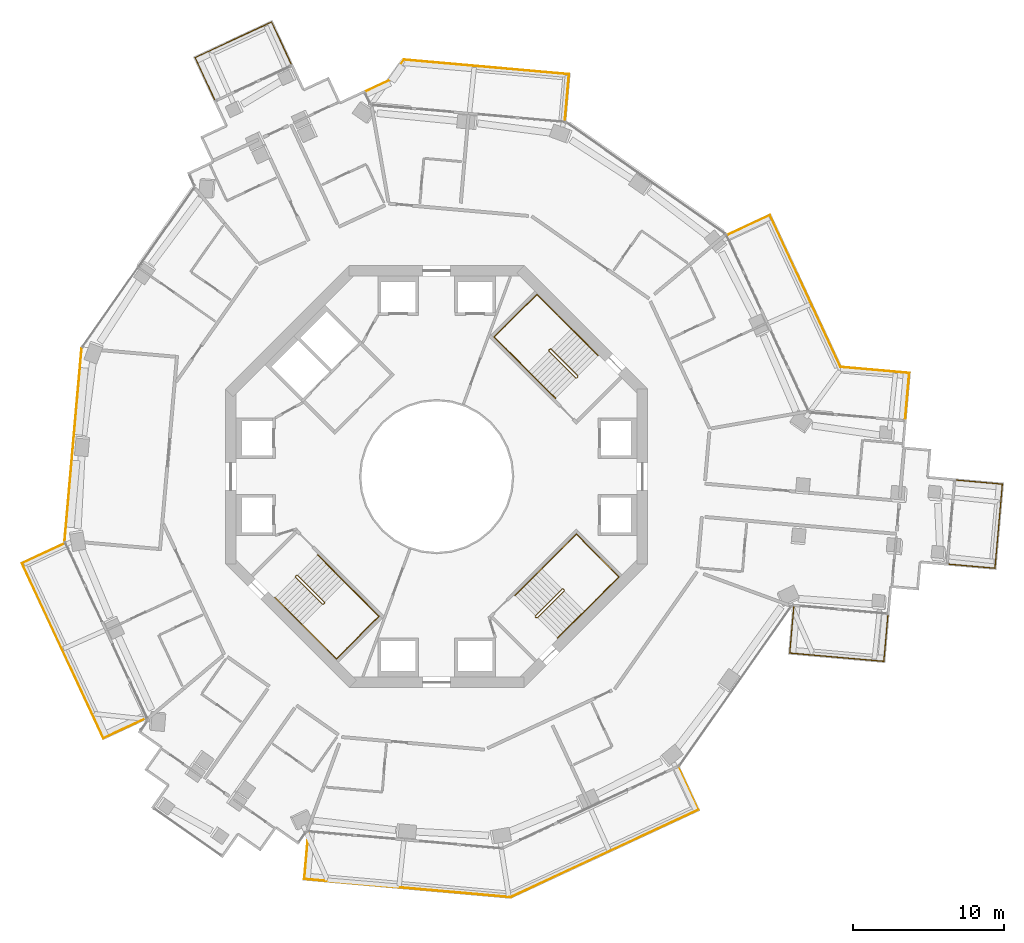
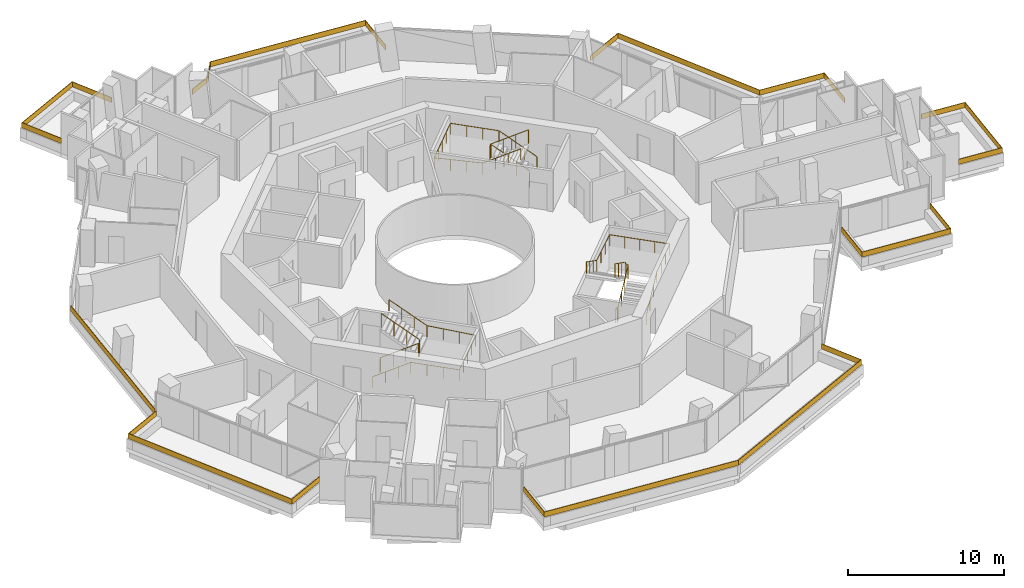
# One storey, part 23 of 23: 14 railings.
"""IFC4 building model written with IfcOpenShell, lengths in metres."""

from ifc_helpers import new_model, si_unit, direction, frame, origin, origin_2d, place, context, subcontext, project, spatial, polyline, rectangle, circle, outline, extrude, material, layer, layer_set, type_object, element, save


model = new_model("IFC4")

# Units and contexts
model_context = context("Model", 3, precision=1e-05, world=origin(), true_north=direction((0.0, 1.0)))
body_context = subcontext(model_context, "Body", "Model", "MODEL_VIEW")
ifc_project = project(units=[si_unit("LENGTHUNIT", "METRE"), si_unit("AREAUNIT", "SQUARE_METRE"), si_unit("VOLUMEUNIT", "CUBIC_METRE"), si_unit("PLANEANGLEUNIT", "RADIAN"), si_unit("MASSUNIT", "GRAM", prefix="KILO")], contexts=[model_context])

# Site, building, storey
site_placement = place(None, origin())
site = spatial("IfcSite", under=ifc_project, at=site_placement, CompositionType="ELEMENT")
building_placement = place(site_placement, origin())
building = spatial("IfcBuilding", under=site, at=building_placement, Name="Verdalira Terraces Hotel", CompositionType="ELEMENT")
storey_placement = place(building_placement, frame((0.0, 0.0, 136.5)))
storey = spatial("IfcBuildingStorey", under=building, at=storey_placement, Name="L32", CompositionType="ELEMENT", Elevation=136.5)

# Railings
ifc_material_1 = material(Name="Laminated glass", Category="glass")
ifc_layer = layer(ifc_material_1, 0.0400390625)
ifc_layer_set = layer_set([ifc_layer], Name="Balcony glass guard 400")
railing_type_1 = type_object("IfcRailingType", Name="Balcony glass guard 400", PredefinedType="GUARDRAIL", material=ifc_layer_set)
railing_1_placement = place(storey_placement, frame((0.0, 0.0, 0.699951)))
element("IfcRailing", 1, at=railing_1_placement, inside=storey, type_object=railing_type_1, Name="Balcony glass guard", PredefinedType="GUARDRAIL", context=body_context, shape_type="SweptSolid", body=[
    extrude(outline(polyline([(-10.957275, 30.128418), (-15.997803, 27.782227), (-14.698486, 24.990723), (-14.734863, 24.973877), (-16.051025, 27.801758), (-10.937744, 30.181641), (-9.621582, 27.354004), (-9.657959, 27.337158), (-10.957275, 30.128418)])), origin(), (0.0, 0.0, 1.0), 0.400146),
])
railing_2_placement = place(storey_placement, frame((0.0, 0.0, 0.699951)))
element("IfcRailing", 2, at=railing_2_placement, inside=storey, type_object=railing_type_1, Name="Balcony glass guard", PredefinedType="GUARDRAIL", context=body_context, shape_type="SweptSolid", body=[
    extrude(outline(polyline([(-27.477295, -5.752197), (-22.092773, -17.320557), (-19.30127, -16.02124), (-19.284424, -16.057373), (-22.112061, -17.373535), (-27.530518, -5.73291), (-24.702637, -4.416748), (-24.685791, -4.452881), (-27.477295, -5.752197)])), origin(), (0.0, 0.0, 1.0), 0.400146),
])
railing_3_placement = place(storey_placement, frame((0.0, 0.0, 0.699951)))
element("IfcRailing", 3, at=railing_3_placement, inside=storey, type_object=railing_type_1, Name="Balcony glass guard", PredefinedType="GUARDRAIL", context=body_context, shape_type="SweptSolid", body=[
    extrude(outline(polyline([(-8.75708, -26.672119), (4.895264, -27.876221), (17.320557, -22.092773), (16.02124, -19.30127), (16.057373, -19.284424), (17.373535, -22.112061), (4.902344, -27.916992), (-8.800293, -26.708496), (-8.526367, -23.601562), (-8.486572, -23.60498), (-8.75708, -26.672119)])), origin(), (0.0, 0.0, 1.0), 0.400146),
])
railing_4_placement = place(storey_placement, frame((0.0, 0.0, 0.699951)))
element("IfcRailing", 4, at=railing_4_placement, inside=storey, type_object=railing_type_1, Name="Balcony glass guard", PredefinedType="GUARDRAIL", context=body_context, shape_type="SweptSolid", body=[
    extrude(outline(polyline([(23.442383, -11.68457), (29.641846, -12.231445), (29.912354, -9.164307), (29.952393, -9.167725), (29.678223, -12.274658), (23.39917, -11.720947), (23.673096, -8.614014), (23.712891, -8.617432), (23.442383, -11.68457)])), origin(), (0.0, 0.0, 1.0), 0.400146),
])
railing_5_placement = place(storey_placement, frame((0.0, 0.0, 0.699951)))
element("IfcRailing", 5, at=railing_5_placement, inside=storey, type_object=railing_type_1, Name="Balcony glass guard", PredefinedType="GUARDRAIL", context=body_context, shape_type="SweptSolid", body=[
    extrude(outline(polyline([(37.012939, -6.054932), (37.501465, -0.516602), (34.434326, -0.246094), (34.437988, -0.206299), (37.544922, -0.480225), (37.049316, -6.098389), (33.942383, -5.824463), (33.946045, -5.784668), (37.012939, -6.054932)])), origin(), (0.0, 0.0, 1.0), 0.400146),
])
railing_6_placement = place(storey_placement, frame((0.0, 0.0, 0.699951)))
element("IfcRailing", 6, at=railing_6_placement, inside=storey, type_object=railing_type_1, Name="Balcony glass guard", PredefinedType="GUARDRAIL", context=body_context, shape_type="SweptSolid", body=[
    extrude(outline(polyline([(31.325195, 6.854492), (26.777588, 7.255615), (22.092773, 17.320557), (19.30127, 16.02124), (19.284424, 16.057373), (22.112061, 17.373535), (26.803955, 7.293457), (31.368652, 6.890869), (31.094482, 3.783936), (31.054688, 3.787354), (31.325195, 6.854492)])), origin(), (0.0, 0.0, 1.0), 0.400146),
])
railing_7_placement = place(storey_placement, frame((0.0, 0.0, 0.699951)))
element("IfcRailing", 7, at=railing_7_placement, inside=storey, type_object=railing_type_1, Name="Balcony glass guard", PredefinedType="GUARDRAIL", context=body_context, shape_type="SweptSolid", body=[
    extrude(outline(polyline([(8.75708, 26.672119), (-2.163818, 27.635254), (-3.115723, 26.277832), (-4.714111, 25.533691), (-4.730957, 25.570068), (-3.142334, 26.30957), (-2.18335, 27.677246), (8.800293, 26.708496), (8.526367, 23.601562), (8.486572, 23.60498), (8.75708, 26.672119)])), origin(), (0.0, 0.0, 1.0), 0.400146),
])
railing_8_placement = place(storey_placement, frame((-24.114746, 2.126709, 0.699951), z_axis=(0.0, 0.0, 1.0), x_axis=(-0.087851197, -0.996133609, 0.0)))
element("IfcRailing", 8, at=railing_8_placement, inside=storey, type_object=railing_type_1, Name="Loggia glass guard", PredefinedType="GUARDRAIL", context=body_context, shape_type="SweptSolid", body=[
    extrude(rectangle(XDim=12.840088, YDim=0.040039, at=origin_2d()), origin(), (0.0, 0.0, 1.0), 0.399902),
])
ifc_material_2 = material(Name="Stainless steel", Category="steel")
railing_type_2 = type_object("IfcRailingType", Name="Stair guard 1100", PredefinedType="GUARDRAIL", material=ifc_material_2)
railing_9_placement = place(storey_placement, frame((9.369141, 6.611328, 0.0)))
element("IfcRailing", 9, at=railing_9_placement, inside=storey, type_object=railing_type_2, Name="L32 ST1 stair guard 1", PredefinedType="GUARDRAIL", context=body_context, shape_type="SweptSolid", body=[
    extrude(circle(Radius=0.023926, at=origin_2d()), frame((0.0, 0.0, 1.076172), z_axis=(-0.70832698, -0.705884473, 0.0), x_axis=(0.705884473, -0.70832698, 0.0)), (0.0, 0.0, 1.0), 0.099854),
    extrude(circle(Radius=0.023926, at=origin_2d()), frame((-0.070801, -0.070557, 1.076172), z_axis=(0.300162975, 0.599290904, 0.742127078), x_axis=(-0.894118129, 0.447831187, 0.0)), (0.0, 0.0, 1.0), 0.23584),
    extrude(circle(Radius=0.023926, at=origin_2d()), frame((0.0, 0.070801, 1.250977), z_axis=(-0.599637504, 0.599637504, 0.52997144), x_axis=(-0.707106781, -0.707106781, 0.0)), (0.0, 0.0, 1.0), 2.97168),
    extrude(circle(Radius=0.023926, at=origin_2d()), frame((-1.781982, 1.852783, 2.826172), z_axis=(-1.0, 0.0, 0.0), x_axis=(0.0, -1.0, 0.0)), (0.0, 0.0, 1.0), 0.070557),
    extrude(circle(Radius=0.023926, at=origin_2d()), frame((-1.852539, 1.852783, 2.826172), z_axis=(-0.707106781, -0.707106781, 0.0), x_axis=(0.707106781, -0.707106781, 0.0)), (0.0, 0.0, 1.0), 0.100098),
    extrude(circle(Radius=0.023926, at=origin_2d()), frame((-1.92334, 1.781982, 2.826172), z_axis=(0.0, -0.373842709, 0.927492118), x_axis=(1.0, 0.0, 0.0)), (0.0, 0.0, 1.0), 0.188721),
    extrude(circle(Radius=0.023926, at=origin_2d()), frame((-1.92334, 1.711426, 3.000977), z_axis=(0.599637504, -0.599637504, 0.52997144), x_axis=(0.707106781, 0.707106781, 0.0)), (0.0, 0.0, 1.0), 2.97168),
    extrude(circle(Radius=0.020996, at=origin_2d()), origin(), (0.0, 0.0, 1.0), 1.052002),
    extrude(circle(Radius=0.020996, at=origin_2d()), frame((-0.070801, -0.070557, 0.0)), (0.0, 0.0, 1.0), 1.052002),
    extrude(circle(Radius=0.020996, at=origin_2d()), frame((0.0, 0.070801, 0.175049)), (0.0, 0.0, 1.0), 1.052002),
    extrude(circle(Radius=0.020996, at=origin_2d()), frame((-0.593994, 0.664795, 0.699951)), (0.0, 0.0, 1.0), 1.052002),
    extrude(circle(Radius=0.020996, at=origin_2d()), frame((-1.187988, 1.258789, 1.225098)), (0.0, 0.0, 1.0), 1.052002),
    extrude(circle(Radius=0.020996, at=origin_2d()), frame((-1.781982, 1.852783, 1.75)), (0.0, 0.0, 1.0), 1.052002),
    extrude(circle(Radius=0.020996, at=origin_2d()), frame((-1.852539, 1.852783, 1.75)), (0.0, 0.0, 1.0), 1.052002),
    extrude(circle(Radius=0.020996, at=origin_2d()), frame((-1.92334, 1.781982, 1.75)), (0.0, 0.0, 1.0), 1.052002),
    extrude(circle(Radius=0.020996, at=origin_2d()), frame((-1.92334, 1.711426, 1.925049)), (0.0, 0.0, 1.0), 1.052002),
    extrude(circle(Radius=0.020996, at=origin_2d()), frame((-1.329346, 1.117432, 2.449951)), (0.0, 0.0, 1.0), 1.052002),
    extrude(circle(Radius=0.020996, at=origin_2d()), frame((-0.735352, 0.523438, 2.975098)), (0.0, 0.0, 1.0), 1.052002),
    extrude(circle(Radius=0.020996, at=origin_2d()), frame((-0.141357, -0.070557, 3.5)), (0.0, 0.0, 1.0), 1.052002),
])
railing_10_placement = place(storey_placement, frame((-9.369141, -6.611328, 0.0)))
element("IfcRailing", 10, at=railing_10_placement, inside=storey, type_object=railing_type_2, Name="L32 ST2 stair guard 1", PredefinedType="GUARDRAIL", context=body_context, shape_type="SweptSolid", body=[
    extrude(circle(Radius=0.023926, at=origin_2d()), frame((0.0, 0.0, 1.076172), z_axis=(0.70832698, 0.705884473, 0.0), x_axis=(-0.705884473, 0.70832698, 0.0)), (0.0, 0.0, 1.0), 0.099854),
    extrude(circle(Radius=0.023926, at=origin_2d()), frame((0.070801, 0.070557, 1.076172), z_axis=(-0.300162975, -0.599290904, 0.742127078), x_axis=(0.894118129, -0.447831187, 0.0)), (0.0, 0.0, 1.0), 0.23584),
    extrude(circle(Radius=0.023926, at=origin_2d()), frame((0.0, -0.070801, 1.250977), z_axis=(0.599637504, -0.599637504, 0.52997144), x_axis=(0.707106781, 0.707106781, 0.0)), (0.0, 0.0, 1.0), 2.97168),
    extrude(circle(Radius=0.023926, at=origin_2d()), frame((1.781982, -1.852783, 2.826172), z_axis=(1.0, 0.0, 0.0), x_axis=(0.0, 1.0, 0.0)), (0.0, 0.0, 1.0), 0.070557),
    extrude(circle(Radius=0.023926, at=origin_2d()), frame((1.852539, -1.852783, 2.826172), z_axis=(0.707106781, 0.707106781, 0.0), x_axis=(-0.707106781, 0.707106781, 0.0)), (0.0, 0.0, 1.0), 0.100098),
    extrude(circle(Radius=0.023926, at=origin_2d()), frame((1.92334, -1.781982, 2.826172), z_axis=(0.0, 0.373842709, 0.927492118), x_axis=(-1.0, 0.0, 0.0)), (0.0, 0.0, 1.0), 0.188721),
    extrude(circle(Radius=0.023926, at=origin_2d()), frame((1.92334, -1.711426, 3.000977), z_axis=(-0.599637504, 0.599637504, 0.52997144), x_axis=(-0.707106781, -0.707106781, 0.0)), (0.0, 0.0, 1.0), 2.97168),
    extrude(circle(Radius=0.020996, at=origin_2d()), origin(), (0.0, 0.0, 1.0), 1.052002),
    extrude(circle(Radius=0.020996, at=origin_2d()), frame((0.070801, 0.070557, 0.0)), (0.0, 0.0, 1.0), 1.052002),
    extrude(circle(Radius=0.020996, at=origin_2d()), frame((0.0, -0.070801, 0.175049)), (0.0, 0.0, 1.0), 1.052002),
    extrude(circle(Radius=0.020996, at=origin_2d()), frame((0.593994, -0.664795, 0.699951)), (0.0, 0.0, 1.0), 1.052002),
    extrude(circle(Radius=0.020996, at=origin_2d()), frame((1.187988, -1.258789, 1.225098)), (0.0, 0.0, 1.0), 1.052002),
    extrude(circle(Radius=0.020996, at=origin_2d()), frame((1.781982, -1.852783, 1.75)), (0.0, 0.0, 1.0), 1.052002),
    extrude(circle(Radius=0.020996, at=origin_2d()), frame((1.852539, -1.852783, 1.75)), (0.0, 0.0, 1.0), 1.052002),
    extrude(circle(Radius=0.020996, at=origin_2d()), frame((1.92334, -1.781982, 1.75)), (0.0, 0.0, 1.0), 1.052002),
    extrude(circle(Radius=0.020996, at=origin_2d()), frame((1.92334, -1.711426, 1.925049)), (0.0, 0.0, 1.0), 1.052002),
    extrude(circle(Radius=0.020996, at=origin_2d()), frame((1.329346, -1.117432, 2.449951)), (0.0, 0.0, 1.0), 1.052002),
    extrude(circle(Radius=0.020996, at=origin_2d()), frame((0.735352, -0.523438, 2.975098)), (0.0, 0.0, 1.0), 1.052002),
    extrude(circle(Radius=0.020996, at=origin_2d()), frame((0.141357, 0.070557, 3.5)), (0.0, 0.0, 1.0), 1.052002),
])
railing_11_placement = place(storey_placement, frame((6.611328, -9.369141, 0.0)))
element("IfcRailing", 11, at=railing_11_placement, inside=storey, type_object=railing_type_2, Name="L32 ST3 stair guard 1", PredefinedType="GUARDRAIL", context=body_context, shape_type="SweptSolid", body=[
    extrude(circle(Radius=0.023926, at=origin_2d()), frame((0.0, 0.0, 1.076172), z_axis=(-0.705884473, 0.70832698, 0.0), x_axis=(-0.70832698, -0.705884473, 0.0)), (0.0, 0.0, 1.0), 0.099854),
    extrude(circle(Radius=0.023926, at=origin_2d()), frame((-0.070557, 0.070801, 1.076172), z_axis=(0.599290904, -0.300162975, 0.742127078), x_axis=(0.447831187, 0.894118129, 0.0)), (0.0, 0.0, 1.0), 0.23584),
    extrude(circle(Radius=0.023926, at=origin_2d()), frame((0.070801, 0.0, 1.250977), z_axis=(0.599637504, 0.599637504, 0.52997144), x_axis=(-0.707106781, 0.707106781, 0.0)), (0.0, 0.0, 1.0), 2.97168),
    extrude(circle(Radius=0.023926, at=origin_2d()), frame((1.852783, 1.781982, 2.826172), z_axis=(0.0, 1.0, 0.0), x_axis=(-1.0, 0.0, 0.0)), (0.0, 0.0, 1.0), 0.070557),
    extrude(circle(Radius=0.023926, at=origin_2d()), frame((1.852783, 1.852539, 2.826172), z_axis=(-0.707106781, 0.707106781, 0.0), x_axis=(-0.707106781, -0.707106781, 0.0)), (0.0, 0.0, 1.0), 0.100098),
    extrude(circle(Radius=0.023926, at=origin_2d()), frame((1.781982, 1.92334, 2.826172), z_axis=(-0.373842709, 0.0, 0.927492118), x_axis=(0.0, -1.0, 0.0)), (0.0, 0.0, 1.0), 0.188721),
    extrude(circle(Radius=0.023926, at=origin_2d()), frame((1.711426, 1.92334, 3.000977), z_axis=(-0.599637504, -0.599637504, 0.52997144), x_axis=(0.707106781, -0.707106781, 0.0)), (0.0, 0.0, 1.0), 2.97168),
    extrude(circle(Radius=0.020996, at=origin_2d()), origin(), (0.0, 0.0, 1.0), 1.052002),
    extrude(circle(Radius=0.020996, at=origin_2d()), frame((-0.070557, 0.070801, 0.0)), (0.0, 0.0, 1.0), 1.052002),
    extrude(circle(Radius=0.020996, at=origin_2d()), frame((0.070801, 0.0, 0.175049)), (0.0, 0.0, 1.0), 1.052002),
    extrude(circle(Radius=0.020996, at=origin_2d()), frame((0.664795, 0.593994, 0.699951)), (0.0, 0.0, 1.0), 1.052002),
    extrude(circle(Radius=0.020996, at=origin_2d()), frame((1.258789, 1.187988, 1.225098)), (0.0, 0.0, 1.0), 1.052002),
    extrude(circle(Radius=0.020996, at=origin_2d()), frame((1.852783, 1.781982, 1.75)), (0.0, 0.0, 1.0), 1.052002),
    extrude(circle(Radius=0.020996, at=origin_2d()), frame((1.852783, 1.852539, 1.75)), (0.0, 0.0, 1.0), 1.052002),
    extrude(circle(Radius=0.020996, at=origin_2d()), frame((1.781982, 1.92334, 1.75)), (0.0, 0.0, 1.0), 1.052002),
    extrude(circle(Radius=0.020996, at=origin_2d()), frame((1.711426, 1.92334, 1.925049)), (0.0, 0.0, 1.0), 1.052002),
    extrude(circle(Radius=0.020996, at=origin_2d()), frame((1.117432, 1.329346, 2.449951)), (0.0, 0.0, 1.0), 1.052002),
    extrude(circle(Radius=0.020996, at=origin_2d()), frame((0.523438, 0.735352, 2.975098)), (0.0, 0.0, 1.0), 1.052002),
    extrude(circle(Radius=0.020996, at=origin_2d()), frame((-0.070557, 0.141357, 3.5)), (0.0, 0.0, 1.0), 1.052002),
])
ifc_material_3 = material(Name="Stainless steel", Category="steel")
railing_type_3 = type_object("IfcRailingType", Name="Stair handrail 900", PredefinedType="HANDRAIL", material=ifc_material_3)
railing_12_placement = place(storey_placement, frame((10.712646, 8.025635, 0.175049)))
element("IfcRailing", 12, at=railing_12_placement, inside=storey, type_object=railing_type_3, Name="L32 ST1 stair handrail 1", PredefinedType="HANDRAIL", context=body_context, shape_type="SweptSolid", body=[
    extrude(circle(Radius=0.023926, at=origin_2d()), frame((0.0, 0.0, 0.875977), z_axis=(-0.599637504, 0.599637504, 0.52997144), x_axis=(-0.707106781, -0.707106781, 0.0)), (0.0, 0.0, 1.0), 2.97168),
    extrude(circle(Radius=0.023926, at=origin_2d()), frame((-1.781982, 1.781982, 2.450684), z_axis=(-0.707106781, 0.707106781, 0.0), x_axis=(-0.707106781, -0.707106781, 0.0)), (0.0, 0.0, 1.0), 3.22998),
    extrude(circle(Radius=0.023926, at=origin_2d()), frame((-4.065918, 4.065918, 2.450684), z_axis=(-0.707106781, -0.707106781, 0.0), x_axis=(0.707106781, -0.707106781, 0.0)), (0.0, 0.0, 1.0), 4.0),
    extrude(circle(Radius=0.023926, at=origin_2d()), frame((-6.894287, 1.237549, 2.450684), z_axis=(0.706070637, -0.706070637, 0.054115729), x_axis=(0.707106781, 0.707106781, 0.0)), (0.0, 0.0, 1.0), 3.234619),
    extrude(circle(Radius=0.023926, at=origin_2d()), frame((-4.610352, -1.046387, 2.625977), z_axis=(0.599637504, -0.599637504, 0.52997144), x_axis=(0.707106781, 0.707106781, 0.0)), (0.0, 0.0, 1.0), 2.97168),
    extrude(circle(Radius=0.020996, at=origin_2d()), origin(), (0.0, 0.0, 1.0), 0.851807),
    extrude(circle(Radius=0.020996, at=origin_2d()), frame((-0.593994, 0.593994, 0.524902)), (0.0, 0.0, 1.0), 0.851807),
    extrude(circle(Radius=0.020996, at=origin_2d()), frame((-1.187988, 1.187988, 1.050049)), (0.0, 0.0, 1.0), 0.851807),
    extrude(circle(Radius=0.020996, at=origin_2d()), frame((-1.781982, 1.781982, 1.574951)), (0.0, 0.0, 1.0), 0.851807),
    extrude(circle(Radius=0.020996, at=origin_2d()), frame((-2.543213, 2.543213, 1.574951)), (0.0, 0.0, 1.0), 0.851807),
    extrude(circle(Radius=0.020996, at=origin_2d()), frame((-3.304688, 3.304688, 1.574951)), (0.0, 0.0, 1.0), 0.851807),
    extrude(circle(Radius=0.020996, at=origin_2d()), frame((-4.065918, 4.065918, 1.574951)), (0.0, 0.0, 1.0), 0.851807),
    extrude(circle(Radius=0.020996, at=origin_2d()), frame((-4.772949, 3.358887, 1.574951)), (0.0, 0.0, 1.0), 0.851807),
    extrude(circle(Radius=0.020996, at=origin_2d()), frame((-5.47998, 2.651855, 1.574951)), (0.0, 0.0, 1.0), 0.851807),
    extrude(circle(Radius=0.020996, at=origin_2d()), frame((-6.187256, 1.94458, 1.574951)), (0.0, 0.0, 1.0), 0.851807),
    extrude(circle(Radius=0.020996, at=origin_2d()), frame((-6.894287, 1.237549, 1.574951)), (0.0, 0.0, 1.0), 0.851807),
    extrude(circle(Radius=0.020996, at=origin_2d()), frame((-6.133057, 0.476318, 1.633301)), (0.0, 0.0, 1.0), 0.851807),
    extrude(circle(Radius=0.020996, at=origin_2d()), frame((-5.371582, -0.285156, 1.69165)), (0.0, 0.0, 1.0), 0.851807),
    extrude(circle(Radius=0.020996, at=origin_2d()), frame((-4.610352, -1.046387, 1.75)), (0.0, 0.0, 1.0), 0.851807),
    extrude(circle(Radius=0.020996, at=origin_2d()), frame((-4.016357, -1.640381, 2.274902)), (0.0, 0.0, 1.0), 0.851807),
    extrude(circle(Radius=0.020996, at=origin_2d()), frame((-3.422363, -2.234375, 2.800049)), (0.0, 0.0, 1.0), 0.851807),
    extrude(circle(Radius=0.020996, at=origin_2d()), frame((-2.828369, -2.828369, 3.324951)), (0.0, 0.0, 1.0), 0.851807),
])
railing_13_placement = place(storey_placement, frame((-10.712646, -8.025635, 0.175049)))
element("IfcRailing", 13, at=railing_13_placement, inside=storey, type_object=railing_type_3, Name="L32 ST2 stair handrail 1", PredefinedType="HANDRAIL", context=body_context, shape_type="SweptSolid", body=[
    extrude(circle(Radius=0.023926, at=origin_2d()), frame((0.0, 0.0, 0.875977), z_axis=(0.599637504, -0.599637504, 0.52997144), x_axis=(0.707106781, 0.707106781, 0.0)), (0.0, 0.0, 1.0), 2.97168),
    extrude(circle(Radius=0.023926, at=origin_2d()), frame((1.781982, -1.781982, 2.450684), z_axis=(0.707106781, -0.707106781, 0.0), x_axis=(0.707106781, 0.707106781, 0.0)), (0.0, 0.0, 1.0), 3.22998),
    extrude(circle(Radius=0.023926, at=origin_2d()), frame((4.065918, -4.065918, 2.450684), z_axis=(0.707106781, 0.707106781, 0.0), x_axis=(-0.707106781, 0.707106781, 0.0)), (0.0, 0.0, 1.0), 4.0),
    extrude(circle(Radius=0.023926, at=origin_2d()), frame((6.894287, -1.237549, 2.450684), z_axis=(-0.706070637, 0.706070637, 0.054115729), x_axis=(-0.707106781, -0.707106781, 0.0)), (0.0, 0.0, 1.0), 3.234619),
    extrude(circle(Radius=0.023926, at=origin_2d()), frame((4.610352, 1.046387, 2.625977), z_axis=(-0.599637504, 0.599637504, 0.52997144), x_axis=(-0.707106781, -0.707106781, 0.0)), (0.0, 0.0, 1.0), 2.97168),
    extrude(circle(Radius=0.020996, at=origin_2d()), origin(), (0.0, 0.0, 1.0), 0.851807),
    extrude(circle(Radius=0.020996, at=origin_2d()), frame((0.593994, -0.593994, 0.524902)), (0.0, 0.0, 1.0), 0.851807),
    extrude(circle(Radius=0.020996, at=origin_2d()), frame((1.187988, -1.187988, 1.050049)), (0.0, 0.0, 1.0), 0.851807),
    extrude(circle(Radius=0.020996, at=origin_2d()), frame((1.781982, -1.781982, 1.574951)), (0.0, 0.0, 1.0), 0.851807),
    extrude(circle(Radius=0.020996, at=origin_2d()), frame((2.543213, -2.543213, 1.574951)), (0.0, 0.0, 1.0), 0.851807),
    extrude(circle(Radius=0.020996, at=origin_2d()), frame((3.304688, -3.304688, 1.574951)), (0.0, 0.0, 1.0), 0.851807),
    extrude(circle(Radius=0.020996, at=origin_2d()), frame((4.065918, -4.065918, 1.574951)), (0.0, 0.0, 1.0), 0.851807),
    extrude(circle(Radius=0.020996, at=origin_2d()), frame((4.772949, -3.358887, 1.574951)), (0.0, 0.0, 1.0), 0.851807),
    extrude(circle(Radius=0.020996, at=origin_2d()), frame((5.47998, -2.651855, 1.574951)), (0.0, 0.0, 1.0), 0.851807),
    extrude(circle(Radius=0.020996, at=origin_2d()), frame((6.187256, -1.94458, 1.574951)), (0.0, 0.0, 1.0), 0.851807),
    extrude(circle(Radius=0.020996, at=origin_2d()), frame((6.894287, -1.237549, 1.574951)), (0.0, 0.0, 1.0), 0.851807),
    extrude(circle(Radius=0.020996, at=origin_2d()), frame((6.133057, -0.476318, 1.633301)), (0.0, 0.0, 1.0), 0.851807),
    extrude(circle(Radius=0.020996, at=origin_2d()), frame((5.371582, 0.285156, 1.69165)), (0.0, 0.0, 1.0), 0.851807),
    extrude(circle(Radius=0.020996, at=origin_2d()), frame((4.610352, 1.046387, 1.75)), (0.0, 0.0, 1.0), 0.851807),
    extrude(circle(Radius=0.020996, at=origin_2d()), frame((4.016357, 1.640381, 2.274902)), (0.0, 0.0, 1.0), 0.851807),
    extrude(circle(Radius=0.020996, at=origin_2d()), frame((3.422363, 2.234375, 2.800049)), (0.0, 0.0, 1.0), 0.851807),
    extrude(circle(Radius=0.020996, at=origin_2d()), frame((2.828369, 2.828369, 3.324951)), (0.0, 0.0, 1.0), 0.851807),
])
railing_14_placement = place(storey_placement, frame((8.025635, -10.712646, 0.175049)))
element("IfcRailing", 14, at=railing_14_placement, inside=storey, type_object=railing_type_3, Name="L32 ST3 stair handrail 1", PredefinedType="HANDRAIL", context=body_context, shape_type="SweptSolid", body=[
    extrude(circle(Radius=0.023926, at=origin_2d()), frame((0.0, 0.0, 0.875977), z_axis=(0.599637504, 0.599637504, 0.52997144), x_axis=(-0.707106781, 0.707106781, 0.0)), (0.0, 0.0, 1.0), 2.97168),
    extrude(circle(Radius=0.023926, at=origin_2d()), frame((1.781982, 1.781982, 2.450684), z_axis=(0.707106781, 0.707106781, 0.0), x_axis=(-0.707106781, 0.707106781, 0.0)), (0.0, 0.0, 1.0), 3.22998),
    extrude(circle(Radius=0.023926, at=origin_2d()), frame((4.065918, 4.065918, 2.450684), z_axis=(-0.707106781, 0.707106781, 0.0), x_axis=(-0.707106781, -0.707106781, 0.0)), (0.0, 0.0, 1.0), 4.0),
    extrude(circle(Radius=0.023926, at=origin_2d()), frame((1.237549, 6.894287, 2.450684), z_axis=(-0.706070637, -0.706070637, 0.054115729), x_axis=(0.707106781, -0.707106781, 0.0)), (0.0, 0.0, 1.0), 3.234619),
    extrude(circle(Radius=0.023926, at=origin_2d()), frame((-1.046387, 4.610352, 2.625977), z_axis=(-0.599637504, -0.599637504, 0.52997144), x_axis=(0.707106781, -0.707106781, 0.0)), (0.0, 0.0, 1.0), 2.97168),
    extrude(circle(Radius=0.020996, at=origin_2d()), origin(), (0.0, 0.0, 1.0), 0.851807),
    extrude(circle(Radius=0.020996, at=origin_2d()), frame((0.593994, 0.593994, 0.524902)), (0.0, 0.0, 1.0), 0.851807),
    extrude(circle(Radius=0.020996, at=origin_2d()), frame((1.187988, 1.187988, 1.050049)), (0.0, 0.0, 1.0), 0.851807),
    extrude(circle(Radius=0.020996, at=origin_2d()), frame((1.781982, 1.781982, 1.574951)), (0.0, 0.0, 1.0), 0.851807),
    extrude(circle(Radius=0.020996, at=origin_2d()), frame((2.543213, 2.543213, 1.574951)), (0.0, 0.0, 1.0), 0.851807),
    extrude(circle(Radius=0.020996, at=origin_2d()), frame((3.304688, 3.304688, 1.574951)), (0.0, 0.0, 1.0), 0.851807),
    extrude(circle(Radius=0.020996, at=origin_2d()), frame((4.065918, 4.065918, 1.574951)), (0.0, 0.0, 1.0), 0.851807),
    extrude(circle(Radius=0.020996, at=origin_2d()), frame((3.358887, 4.772949, 1.574951)), (0.0, 0.0, 1.0), 0.851807),
    extrude(circle(Radius=0.020996, at=origin_2d()), frame((2.651855, 5.47998, 1.574951)), (0.0, 0.0, 1.0), 0.851807),
    extrude(circle(Radius=0.020996, at=origin_2d()), frame((1.94458, 6.187256, 1.574951)), (0.0, 0.0, 1.0), 0.851807),
    extrude(circle(Radius=0.020996, at=origin_2d()), frame((1.237549, 6.894287, 1.574951)), (0.0, 0.0, 1.0), 0.851807),
    extrude(circle(Radius=0.020996, at=origin_2d()), frame((0.476318, 6.133057, 1.633301)), (0.0, 0.0, 1.0), 0.851807),
    extrude(circle(Radius=0.020996, at=origin_2d()), frame((-0.285156, 5.371582, 1.69165)), (0.0, 0.0, 1.0), 0.851807),
    extrude(circle(Radius=0.020996, at=origin_2d()), frame((-1.046387, 4.610352, 1.75)), (0.0, 0.0, 1.0), 0.851807),
    extrude(circle(Radius=0.020996, at=origin_2d()), frame((-1.640381, 4.016357, 2.274902)), (0.0, 0.0, 1.0), 0.851807),
    extrude(circle(Radius=0.020996, at=origin_2d()), frame((-2.234375, 3.422363, 2.800049)), (0.0, 0.0, 1.0), 0.851807),
    extrude(circle(Radius=0.020996, at=origin_2d()), frame((-2.828369, 2.828369, 3.324951)), (0.0, 0.0, 1.0), 0.851807),
])

save(model, "model.ifc")
